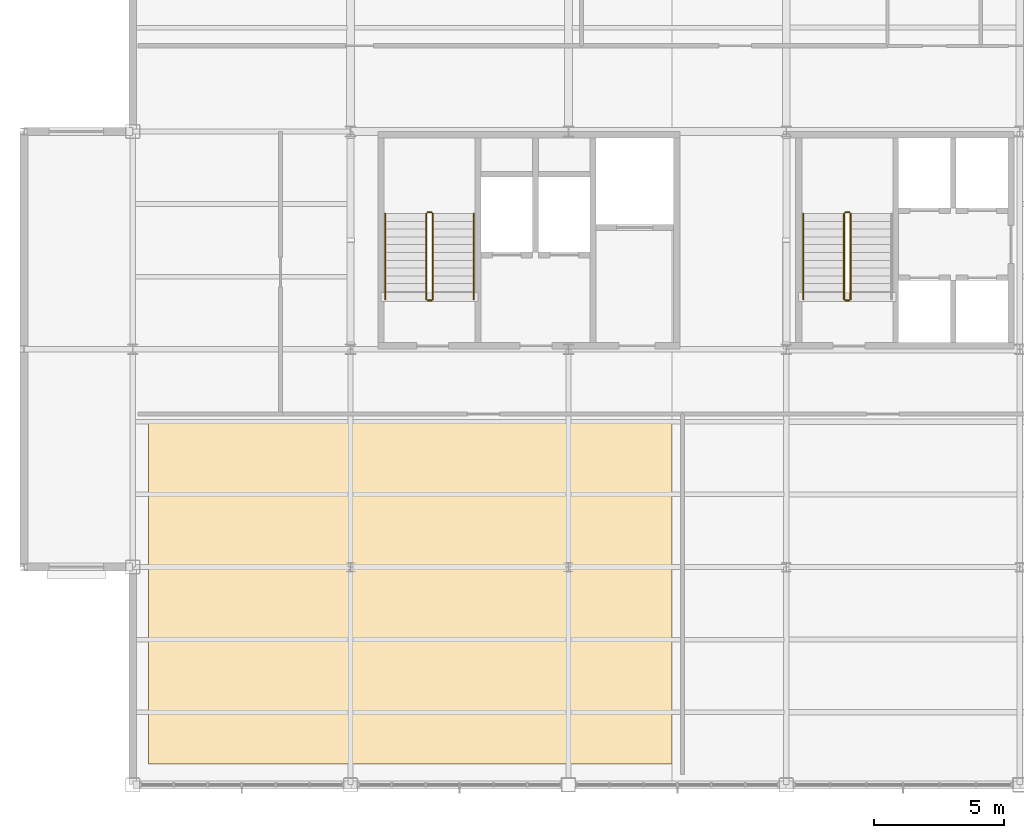
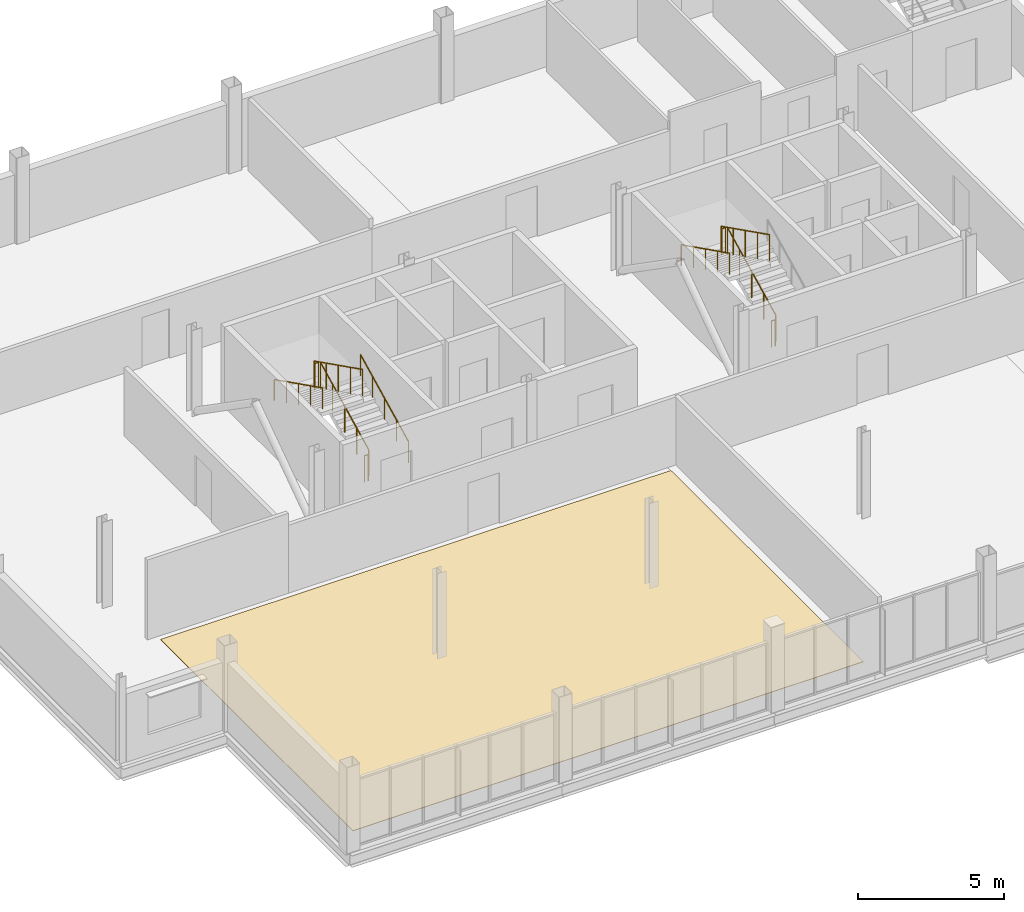
# One storey, part 17 of 18: 11 railings, 1 covering.
"""IFC4 building model written with IfcOpenShell, lengths in metres."""

from ifc_helpers import new_model, si_unit, direction, frame, origin, origin_2d, place, context, subcontext, project, spatial, polyline, circle, outline, extrude, material, layer, layer_set, type_object, element, save


model = new_model("IFC4")

# Units and contexts
model_context = context("Model", 3, precision=1e-05, world=origin(), true_north=direction((0.0, 1.0)))
body_context = subcontext(model_context, "Body", "Model", "MODEL_VIEW")
ifc_project = project(units=[si_unit("LENGTHUNIT", "METRE"), si_unit("AREAUNIT", "SQUARE_METRE"), si_unit("VOLUMEUNIT", "CUBIC_METRE"), si_unit("PLANEANGLEUNIT", "RADIAN"), si_unit("MASSUNIT", "GRAM", prefix="KILO")], contexts=[model_context])

# Site, building, storey
site_placement = place(None, origin())
site = spatial("IfcSite", under=ifc_project, at=site_placement, CompositionType="ELEMENT")
building_placement = place(site_placement, origin())
building = spatial("IfcBuilding", under=site, at=building_placement, Name="Yukiwa Park Conservatory and Herbarium", CompositionType="ELEMENT")
storey_placement = place(building_placement, frame((0.0, 0.0, 24.60009765625)))
storey = spatial("IfcBuildingStorey", under=building, at=storey_placement, Name="L06", CompositionType="ELEMENT", Elevation=24.60009765625)

# Covering
ifc_material_1 = material(Name="Anti-Static Laboratory Epoxy Flooring")
ifc_layer_1 = layer(ifc_material_1, 0.02001953125)
ifc_layer_set_1 = layer_set([ifc_layer_1], Name="Anti-Static Laboratory Epoxy Flooring")
covering_type = type_object("IfcCoveringType", Name="COV-FLR-EPOXY", PredefinedType="FLOORING", material=ifc_layer_set_1)
covering_placement = place(storey_placement, origin())
element("IfcCovering", 1, at=covering_placement, inside=storey, type_object=covering_type, Name="L06 finished floor covering FLR-L06-LAB", PredefinedType="FLOORING", context=body_context, shape_type="SweptSolid", body=[
    extrude(outline(polyline([(125.39990234375, 78.800048828125), (145.60009765625, 78.800048828125), (145.60009765625, 92.0), (125.39990234375, 92.0), (125.39990234375, 78.800048828125)])), origin(), (0.0, 0.0, 1.0), 0.02001953125),
])

# Railings
ifc_material_2 = material(Name="Steel Q235B", Category="steel")
ifc_layer_2 = layer(ifc_material_2, 0.050048828125)
ifc_layer_set_2 = layer_set([ifc_layer_2], Name="Steel Q235B")
railing_type_1 = type_object("IfcRailingType", Name="RL-STAIR-GUARD-1120", PredefinedType="BALUSTRADE", material=ifc_layer_set_2)
railing_1_placement = place(storey_placement, frame((136.3701171875, 96.72998046875, 0.14990234375)))
element("IfcRailing", 2, at=railing_1_placement, inside=storey, type_object=railing_type_1, Name="L06 ST-T1 stair guard 1", PredefinedType="BALUSTRADE", context=body_context, shape_type="SweptSolid", body=[
    extrude(circle(Radius=0.02392578125, at=origin_2d()), frame((0.0, 0.0, 1.09619140625), z_axis=(0.0, 0.894440424912, 0.447187126696), x_axis=(-1.0, 0.0, 0.0)), (0.0, 0.0, 1.0), 3.689453125),
    extrude(circle(Radius=0.02099609375, at=origin_2d()), origin(), (0.0, 0.0, 1.0), 1.072021484375),
    extrude(circle(Radius=0.02099609375, at=origin_2d()), frame((0.0, 0.824951171875, 0.41259765625)), (0.0, 0.0, 1.0), 1.072021484375),
    extrude(circle(Radius=0.02099609375, at=origin_2d()), frame((0.0, 1.64990234375, 0.824951171875)), (0.0, 0.0, 1.0), 1.072021484375),
    extrude(circle(Radius=0.02099609375, at=origin_2d()), frame((0.0, 2.47509765625, 1.2373046875)), (0.0, 0.0, 1.0), 1.072021484375),
    extrude(circle(Radius=0.02099609375, at=origin_2d()), frame((0.0, 3.300048828125, 1.64990234375)), (0.0, 0.0, 1.0), 1.072021484375),
])
railing_2_placement = place(storey_placement, frame((136.320068359375, 100.080078125, 1.7998046875)))
element("IfcRailing", 3, at=railing_2_placement, inside=storey, type_object=railing_type_1, Name="L06 ST-T1 stair guard 2", PredefinedType="BALUSTRADE", context=body_context, shape_type="SweptSolid", body=[
    extrude(circle(Radius=0.02392578125, at=origin_2d()), frame((0.0, 0.0, 1.09619140625), z_axis=(-1.0, 0.0, 0.0), x_axis=(0.0, -1.0, 0.0)), (0.0, 0.0, 1.0), 0.150146484375),
    extrude(circle(Radius=0.02099609375, at=origin_2d()), origin(), (0.0, 0.0, 1.0), 1.072021484375),
    extrude(circle(Radius=0.02099609375, at=origin_2d()), frame((-0.150146484375, 0.0, 0.0)), (0.0, 0.0, 1.0), 1.072021484375),
])
railing_3_placement = place(storey_placement, frame((136.1201171875, 100.030029296875, 1.949951171875)))
element("IfcRailing", 4, at=railing_3_placement, inside=storey, type_object=railing_type_1, Name="L06 ST-T1 stair guard 3", PredefinedType="BALUSTRADE", context=body_context, shape_type="SweptSolid", body=[
    extrude(circle(Radius=0.02392578125, at=origin_2d()), frame((0.0, 0.0, 1.09619140625), z_axis=(0.0, -0.894440424912, 0.447187126696), x_axis=(1.0, 0.0, 0.0)), (0.0, 0.0, 1.0), 3.689453125),
    extrude(circle(Radius=0.02099609375, at=origin_2d()), origin(), (0.0, 0.0, 1.0), 1.072021484375),
    extrude(circle(Radius=0.02099609375, at=origin_2d()), frame((0.0, -0.824951171875, 0.41259765625)), (0.0, 0.0, 1.0), 1.072021484375),
    extrude(circle(Radius=0.02099609375, at=origin_2d()), frame((0.0, -1.64990234375, 0.824951171875)), (0.0, 0.0, 1.0), 1.072021484375),
    extrude(circle(Radius=0.02099609375, at=origin_2d()), frame((0.0, -2.47509765625, 1.2373046875)), (0.0, 0.0, 1.0), 1.072021484375),
    extrude(circle(Radius=0.02099609375, at=origin_2d()), frame((0.0, -3.300048828125, 1.64990234375)), (0.0, 0.0, 1.0), 1.072021484375),
])
railing_4_placement = place(storey_placement, frame((136.320068359375, 96.679931640625, 0.0)))
element("IfcRailing", 5, at=railing_4_placement, inside=storey, type_object=railing_type_1, Name="L06 ST-T1 stair guard 4", PredefinedType="BALUSTRADE", context=body_context, shape_type="SweptSolid", body=[
    extrude(circle(Radius=0.02392578125, at=origin_2d()), frame((0.0, 0.0, 1.09619140625), z_axis=(-1.0, 0.0, 0.0), x_axis=(0.0, -1.0, 0.0)), (0.0, 0.0, 1.0), 0.150146484375),
    extrude(circle(Radius=0.02099609375, at=origin_2d()), origin(), (0.0, 0.0, 1.0), 1.072021484375),
    extrude(circle(Radius=0.02099609375, at=origin_2d()), frame((-0.150146484375, 0.0, 0.0)), (0.0, 0.0, 1.0), 1.072021484375),
])
railing_5_placement = place(storey_placement, frame((152.47998046875, 96.72998046875, 0.14990234375)))
element("IfcRailing", 6, at=railing_5_placement, inside=storey, type_object=railing_type_1, Name="L06 ST-T2 stair guard 1", PredefinedType="BALUSTRADE", context=body_context, shape_type="SweptSolid", body=[
    extrude(circle(Radius=0.02392578125, at=origin_2d()), frame((0.0, 0.0, 1.09619140625), z_axis=(0.0, 0.894440424912, 0.447187126696), x_axis=(-1.0, 0.0, 0.0)), (0.0, 0.0, 1.0), 3.689453125),
    extrude(circle(Radius=0.02099609375, at=origin_2d()), origin(), (0.0, 0.0, 1.0), 1.072021484375),
    extrude(circle(Radius=0.02099609375, at=origin_2d()), frame((0.0, 0.824951171875, 0.41259765625)), (0.0, 0.0, 1.0), 1.072021484375),
    extrude(circle(Radius=0.02099609375, at=origin_2d()), frame((0.0, 1.64990234375, 0.824951171875)), (0.0, 0.0, 1.0), 1.072021484375),
    extrude(circle(Radius=0.02099609375, at=origin_2d()), frame((0.0, 2.47509765625, 1.2373046875)), (0.0, 0.0, 1.0), 1.072021484375),
    extrude(circle(Radius=0.02099609375, at=origin_2d()), frame((0.0, 3.300048828125, 1.64990234375)), (0.0, 0.0, 1.0), 1.072021484375),
])
railing_6_placement = place(storey_placement, frame((152.429931640625, 100.080078125, 1.7998046875)))
element("IfcRailing", 7, at=railing_6_placement, inside=storey, type_object=railing_type_1, Name="L06 ST-T2 stair guard 2", PredefinedType="BALUSTRADE", context=body_context, shape_type="SweptSolid", body=[
    extrude(circle(Radius=0.02392578125, at=origin_2d()), frame((0.0, 0.0, 1.09619140625), z_axis=(-1.0, 0.0, 0.0), x_axis=(0.0, -1.0, 0.0)), (0.0, 0.0, 1.0), 0.14990234375),
    extrude(circle(Radius=0.02099609375, at=origin_2d()), origin(), (0.0, 0.0, 1.0), 1.072021484375),
    extrude(circle(Radius=0.02099609375, at=origin_2d()), frame((-0.14990234375, 0.0, 0.0)), (0.0, 0.0, 1.0), 1.072021484375),
])
railing_7_placement = place(storey_placement, frame((152.22998046875, 100.030029296875, 1.949951171875)))
element("IfcRailing", 8, at=railing_7_placement, inside=storey, type_object=railing_type_1, Name="L06 ST-T2 stair guard 3", PredefinedType="BALUSTRADE", context=body_context, shape_type="SweptSolid", body=[
    extrude(circle(Radius=0.02392578125, at=origin_2d()), frame((0.0, 0.0, 1.09619140625), z_axis=(0.0, -0.894440424912, 0.447187126696), x_axis=(1.0, 0.0, 0.0)), (0.0, 0.0, 1.0), 3.689453125),
    extrude(circle(Radius=0.02099609375, at=origin_2d()), origin(), (0.0, 0.0, 1.0), 1.072021484375),
    extrude(circle(Radius=0.02099609375, at=origin_2d()), frame((0.0, -0.824951171875, 0.41259765625)), (0.0, 0.0, 1.0), 1.072021484375),
    extrude(circle(Radius=0.02099609375, at=origin_2d()), frame((0.0, -1.64990234375, 0.824951171875)), (0.0, 0.0, 1.0), 1.072021484375),
    extrude(circle(Radius=0.02099609375, at=origin_2d()), frame((0.0, -2.47509765625, 1.2373046875)), (0.0, 0.0, 1.0), 1.072021484375),
    extrude(circle(Radius=0.02099609375, at=origin_2d()), frame((0.0, -3.300048828125, 1.64990234375)), (0.0, 0.0, 1.0), 1.072021484375),
])
railing_8_placement = place(storey_placement, frame((152.429931640625, 96.679931640625, 0.0)))
element("IfcRailing", 9, at=railing_8_placement, inside=storey, type_object=railing_type_1, Name="L06 ST-T2 stair guard 4", PredefinedType="BALUSTRADE", context=body_context, shape_type="SweptSolid", body=[
    extrude(circle(Radius=0.02392578125, at=origin_2d()), frame((0.0, 0.0, 1.09619140625), z_axis=(-1.0, 0.0, 0.0), x_axis=(0.0, -1.0, 0.0)), (0.0, 0.0, 1.0), 0.14990234375),
    extrude(circle(Radius=0.02099609375, at=origin_2d()), origin(), (0.0, 0.0, 1.0), 1.072021484375),
    extrude(circle(Radius=0.02099609375, at=origin_2d()), frame((-0.14990234375, 0.0, 0.0)), (0.0, 0.0, 1.0), 1.072021484375),
])
ifc_material_3 = material(Name="Steel Q235B", Category="steel")
ifc_layer_3 = layer(ifc_material_3, 0.044921875)
ifc_layer_set_3 = layer_set([ifc_layer_3], Name="Steel Q235B")
railing_type_2 = type_object("IfcRailingType", Name="RL-STAIR-RAIL-900", PredefinedType="HANDRAIL", material=ifc_layer_set_3)
railing_9_placement = place(storey_placement, frame((137.949951171875, 96.72998046875, 0.14990234375)))
element("IfcRailing", 10, at=railing_9_placement, inside=storey, type_object=railing_type_2, Name="L06 ST-T1 stair handrail 1", PredefinedType="HANDRAIL", context=body_context, shape_type="SweptSolid", body=[
    extrude(circle(Radius=0.02392578125, at=origin_2d()), frame((0.0, 0.0, 0.8759765625), z_axis=(0.0, 0.894440424912, 0.447187126696), x_axis=(-1.0, 0.0, 0.0)), (0.0, 0.0, 1.0), 3.689453125),
    extrude(circle(Radius=0.02099609375, at=origin_2d()), origin(), (0.0, 0.0, 1.0), 0.851806640625),
    extrude(circle(Radius=0.02099609375, at=origin_2d()), frame((0.0, 0.824951171875, 0.41259765625)), (0.0, 0.0, 1.0), 0.851806640625),
    extrude(circle(Radius=0.02099609375, at=origin_2d()), frame((0.0, 1.64990234375, 0.824951171875)), (0.0, 0.0, 1.0), 0.851806640625),
    extrude(circle(Radius=0.02099609375, at=origin_2d()), frame((0.0, 2.47509765625, 1.2373046875)), (0.0, 0.0, 1.0), 0.851806640625),
    extrude(circle(Radius=0.02099609375, at=origin_2d()), frame((0.0, 3.300048828125, 1.64990234375)), (0.0, 0.0, 1.0), 0.851806640625),
])
for number, where, name in (
    (11, (134.5400390625, 100.030029296875, 1.949951171875), "L06 ST-T1 stair handrail 2"),
    (12, (150.64990234375, 100.030029296875, 1.949951171875), "L06 ST-T2 stair handrail 2"),
):
    element("IfcRailing", number, at=place(storey_placement, frame(where)), inside=storey, type_object=railing_type_2, Name=name, PredefinedType="HANDRAIL", context=body_context, shape_type="SweptSolid", body=[
        extrude(circle(Radius=0.02392578125, at=origin_2d()), frame((0.0, 0.0, 0.8759765625), z_axis=(0.0, -0.894440424912, 0.447187126696), x_axis=(1.0, 0.0, 0.0)), (0.0, 0.0, 1.0), 3.689453125),
        extrude(circle(Radius=0.02099609375, at=origin_2d()), origin(), (0.0, 0.0, 1.0), 0.851806640625),
        extrude(circle(Radius=0.02099609375, at=origin_2d()), frame((0.0, -0.824951171875, 0.41259765625)), (0.0, 0.0, 1.0), 0.851806640625),
        extrude(circle(Radius=0.02099609375, at=origin_2d()), frame((0.0, -1.64990234375, 0.824951171875)), (0.0, 0.0, 1.0), 0.851806640625),
        extrude(circle(Radius=0.02099609375, at=origin_2d()), frame((0.0, -2.47509765625, 1.2373046875)), (0.0, 0.0, 1.0), 0.851806640625),
        extrude(circle(Radius=0.02099609375, at=origin_2d()), frame((0.0, -3.300048828125, 1.64990234375)), (0.0, 0.0, 1.0), 0.851806640625),
    ])

save(model, "model.ifc")
